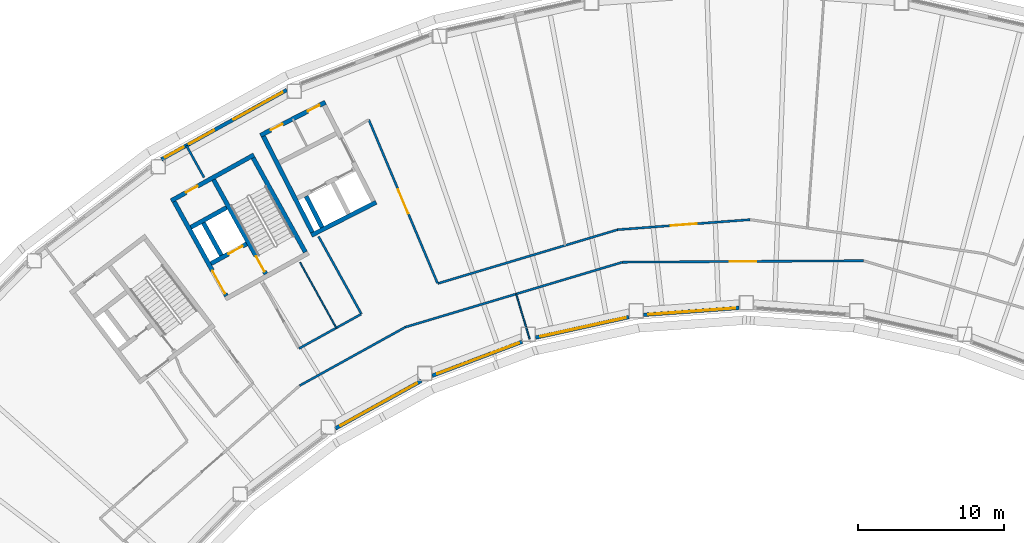
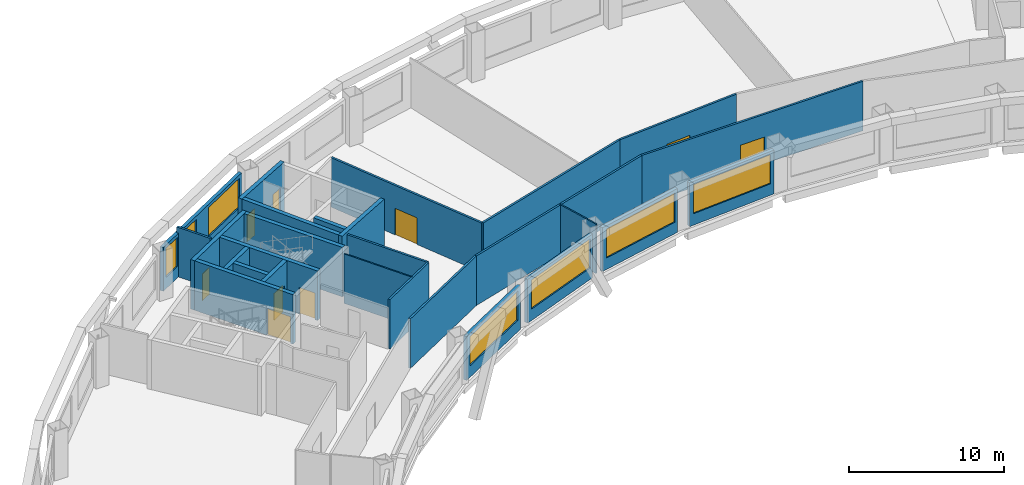
# One storey, part 4 of 13: 27 walls, 9 doors, 7 windows, 16 openings.
"""IFC4 building model written with IfcOpenShell, lengths in metres."""

from ifc_helpers import new_model, si_unit, direction, frame, frame_2d, origin, place, context, subcontext, project, spatial, rectangle, extrude, material, layer, layer_set, type_object, element, fill, save


model = new_model("IFC4")

# Units and contexts
model_context = context("Model", 3, precision=1e-05, world=origin(), true_north=direction((0.0, 1.0)))
body_context = subcontext(model_context, "Body", "Model", "MODEL_VIEW")
ifc_project = project(units=[si_unit("LENGTHUNIT", "METRE"), si_unit("AREAUNIT", "SQUARE_METRE"), si_unit("VOLUMEUNIT", "CUBIC_METRE"), si_unit("PLANEANGLEUNIT", "RADIAN"), si_unit("MASSUNIT", "GRAM", prefix="KILO")], contexts=[model_context])

# Site, building, storey
site_placement = place(None, origin())
site = spatial("IfcSite", under=ifc_project, at=site_placement, CompositionType="ELEMENT")
building_placement = place(site_placement, origin())
building = spatial("IfcBuilding", under=site, at=building_placement, Name="Tuul Gate Civic Tower", CompositionType="ELEMENT")
storey_placement = place(building_placement, frame((0.0, 0.0, 150.800048828125)))
storey = spatial("IfcBuildingStorey", under=building, at=storey_placement, Name="Level 34", CompositionType="ELEMENT", Elevation=150.800048828125)

# Wall, opening, door
ifc_material_1 = material(Name="Concrete C50/60", Category="concrete")
ifc_layer_1 = layer(ifc_material_1, 0.300048828125)
ifc_layer_set_1 = layer_set([ifc_layer_1], Name="Concrete C50/60")
wall_type_1 = type_object("IfcWallType", Name="Core wall C50/60", PredefinedType="SHEAR", material=ifc_layer_set_1)
wall_1_placement = place(storey_placement, frame((-28.94580078125, -8.090087890625, 0.0), z_axis=(0.0, 0.0, 1.0), x_axis=(-0.874629840737, -0.484791338301, 0.0)))
wall_1 = element("IfcWall", 1, at=wall_1_placement, inside=storey, type_object=wall_type_1, Name="Core wall", PredefinedType="SHEAR", context=body_context, shape_type="SweptSolid", body=[
    extrude(rectangle(XDim=2.800048828125, YDim=0.300048828125, at=frame_2d((1.39990234375, 0.0))), origin(), (0.0, 0.0, 1.0), 3.89990234375),
])
opening_1_placement = place(wall_1_placement, frame((0.324951171875, 0.0, 0.0)))
opening_1 = element("IfcOpeningElement", 2, at=opening_1_placement, cuts=wall_1, Name="Opening LD-FF-1", PredefinedType="OPENING", context=body_context, shape_type="SweptSolid", body=[
    extrude(rectangle(XDim=1.10009765625, YDim=2.10009765625, at=frame_2d((0.550048828125, 1.050048828125))), frame((0.0, 0.16015625, 0.0), z_axis=(0.0, -1.0, 0.0), x_axis=(1.0, 0.0, 0.0)), (0.0, 0.0, 1.0), 0.320068359375),
])
ifc_material_2 = material(Name="Stainless steel", Category="steel")
door_type_1 = type_object("IfcDoorType", Name="Landing door", OperationType="DOUBLE_DOOR_SLIDING", PredefinedType="DOOR", material=ifc_material_2)
door_1_placement = place(opening_1_placement, origin())
door_1 = element("IfcDoor", 3, at=door_1_placement, inside=storey, type_object=door_type_1, Name="Fire-fighting lift FF-1 landing door", OperationType="DOUBLE_DOOR_SLIDING", OverallHeight=2.10009765625, OverallWidth=1.10009765625, PredefinedType="DOOR", context=body_context, shape_type="SweptSolid", body=[
    extrude(rectangle(XDim=1.10009765625, YDim=2.10009765625, at=frame_2d((0.550048828125, 1.050048828125))), frame((0.0, 0.02490234375, 0.0), z_axis=(0.0, -1.0, 0.0), x_axis=(1.0, 0.0, 0.0)), (0.0, 0.0, 1.0), 0.050048828125),
])
fill(opening_1, door_1)

# Wall
wall_2_placement = place(storey_placement, frame((-30.327392578125, -5.59716796875, 0.0), z_axis=(0.0, 0.0, 1.0), x_axis=(-0.874629840737, -0.484791338301, 0.0)))
element("IfcWall", 4, at=wall_2_placement, inside=storey, type_object=wall_type_1, Name="Core wall", PredefinedType="SHEAR", context=body_context, shape_type="SweptSolid", body=[
    extrude(rectangle(XDim=2.800048828125, YDim=0.300048828125, at=frame_2d((1.39990234375, 0.0))), origin(), (0.0, 0.0, 1.0), 3.89990234375),
])

# Wall, opening, door
wall_3_placement = place(storey_placement, frame((-28.4443359375, -1.98095703125, 0.0), z_axis=(0.0, 0.0, 1.0), x_axis=(-0.874629909008, -0.484791215132, 0.0)))
wall_3 = element("IfcWall", 5, at=wall_3_placement, inside=storey, type_object=wall_type_1, Name="Core wall", PredefinedType="SHEAR", context=body_context, shape_type="SweptSolid", body=[
    extrude(rectangle(XDim=6.5, YDim=0.300048828125, at=frame_2d((3.25, 0.0))), origin(), (0.0, 0.0, 1.0), 3.89990234375),
])
opening_2_placement = place(wall_3_placement, frame((4.425048828125, 0.0, 0.0)))
opening_2 = element("IfcOpeningElement", 6, at=opening_2_placement, cuts=wall_3, Name="Opening L-D12", PredefinedType="OPENING", context=body_context, shape_type="SweptSolid", body=[
    extrude(rectangle(XDim=0.89990234375, YDim=2.10009765625, at=frame_2d((0.449951171875, 1.050048828125))), frame((0.0, 0.16015625, 0.0), z_axis=(0.0, -1.0, 0.0), x_axis=(1.0, 0.0, 0.0)), (0.0, 0.0, 1.0), 0.320068359375),
])
ifc_material_3 = material(Name="Timber door leaf", Category="wood")
door_type_2 = type_object("IfcDoorType", Name="Door D09", OperationType="NOTDEFINED", PredefinedType="DOOR", material=ifc_material_3)
door_2_placement = place(opening_2_placement, origin())
door_2 = element("IfcDoor", 7, at=door_2_placement, inside=storey, type_object=door_type_2, Name="Door L-D12", OperationType="SINGLE_SWING_LEFT", OverallHeight=2.10009765625, OverallWidth=0.89990234375, PredefinedType="DOOR", context=body_context, shape_type="SweptSolid", body=[
    extrude(rectangle(XDim=0.89990234375, YDim=2.10009765625, at=frame_2d((0.449951171875, 1.050048828125))), frame((0.0, 0.02490234375, 0.0), z_axis=(0.0, -1.0, 0.0), x_axis=(1.0, 0.0, 0.0)), (0.0, 0.0, 1.0), 0.050048828125),
])
fill(opening_2, door_2)

# Wall
wall_4_placement = place(storey_placement, frame((-24.91552734375, -8.6572265625, 0.0), z_axis=(0.0, 0.0, 1.0), x_axis=(-0.484777133038, 0.874637714304, 0.0)))
element("IfcWall", 8, at=wall_4_placement, inside=storey, type_object=wall_type_1, Name="Core wall", PredefinedType="SHEAR", context=body_context, shape_type="SweptSolid", body=[
    extrude(rectangle(XDim=7.400146484375, YDim=0.300048828125, at=frame_2d((3.7001953125, 0.0))), origin(), (0.0, 0.0, 1.0), 3.89990234375),
])

# Wall, opening, door
wall_5_placement = place(storey_placement, frame((-27.626953125, -10.16015625, 0.0), z_axis=(0.0, 0.0, 1.0), x_axis=(-0.484751894226, 0.874651702704, 0.0)))
wall_5 = element("IfcWall", 9, at=wall_5_placement, inside=storey, type_object=wall_type_1, Name="Core wall", PredefinedType="SHEAR", context=body_context, shape_type="SweptSolid", body=[
    extrude(rectangle(XDim=7.39990234375, YDim=0.300048828125, at=frame_2d((3.699951171875, 0.0))), origin(), (0.0, 0.0, 1.0), 3.89990234375),
])
opening_3_placement = place(wall_5_placement, frame((0.199951171875, 0.0, 0.0)))
opening_3 = element("IfcOpeningElement", 10, at=opening_3_placement, cuts=wall_5, Name="Opening SD-ST-2", PredefinedType="OPENING", context=body_context, shape_type="SweptSolid", body=[
    extrude(rectangle(XDim=1.199951171875, YDim=2.10009765625, at=frame_2d((0.60009765625, 1.050048828125))), frame((0.0, 0.16015625, 0.0), z_axis=(0.0, -1.0, 0.0), x_axis=(1.0, 0.0, 0.0)), (0.0, 0.0, 1.0), 0.320068359375),
])
ifc_material_4 = material(Name="Steel", Category="steel")
door_type_3 = type_object("IfcDoorType", Name="Stair door", OperationType="NOTDEFINED", PredefinedType="DOOR", material=ifc_material_4)
door_3_placement = place(opening_3_placement, origin())
door_3 = element("IfcDoor", 11, at=door_3_placement, inside=storey, type_object=door_type_3, Name="Stair door ST-2", OperationType="SINGLE_SWING_LEFT", OverallHeight=2.10009765625, OverallWidth=1.199951171875, PredefinedType="DOOR", context=body_context, shape_type="SweptSolid", body=[
    extrude(rectangle(XDim=1.199951171875, YDim=2.10009765625, at=frame_2d((0.60009765625, 1.050048828125))), frame((0.0, 0.02490234375, 0.0), z_axis=(0.0, -1.0, 0.0), x_axis=(1.0, 0.0, 0.0)), (0.0, 0.0, 1.0), 0.050048828125),
])
fill(opening_3, door_3)

# Wall
wall_6_placement = place(storey_placement, frame((-30.680419921875, -8.8798828125, 0.0), z_axis=(0.0, 0.0, 1.0), x_axis=(-0.484724115216, 0.874667097888, 0.0)))
element("IfcWall", 12, at=wall_6_placement, inside=storey, type_object=wall_type_1, Name="Core wall", PredefinedType="SHEAR", context=body_context, shape_type="SweptSolid", body=[
    extrude(rectangle(XDim=2.550048828125, YDim=0.300048828125, at=frame_2d((1.27490234375, 0.0))), origin(), (0.0, 0.0, 1.0), 3.89990234375),
])

# Wall, opening, door
wall_7_placement = place(storey_placement, frame((-30.33837890625, -11.6630859375, 0.0), z_axis=(0.0, 0.0, 1.0), x_axis=(-0.484751894226, 0.874651702704, 0.0)))
wall_7 = element("IfcWall", 13, at=wall_7_placement, inside=storey, type_object=wall_type_1, Name="Core wall", PredefinedType="SHEAR", context=body_context, shape_type="SweptSolid", body=[
    extrude(rectangle(XDim=7.39990234375, YDim=0.300048828125, at=frame_2d((3.699951171875, 0.0))), origin(), (0.0, 0.0, 1.0), 3.89990234375),
])
opening_4_placement = place(wall_7_placement, frame((0.175048828125, 0.0, 0.0)))
opening_4 = element("IfcOpeningElement", 14, at=opening_4_placement, cuts=wall_7, Name="Opening LB-W2-FLOBBY-1", PredefinedType="OPENING", context=body_context, shape_type="SweptSolid", body=[
    extrude(rectangle(XDim=1.800048828125, YDim=2.10009765625, at=frame_2d((0.89990234375, 1.050048828125))), frame((0.0, 0.16015625, 0.0), z_axis=(0.0, -1.0, 0.0), x_axis=(1.0, 0.0, 0.0)), (0.0, 0.0, 1.0), 0.320068359375),
])
ifc_material_5 = material(Name="Steel", Category="steel")
door_type_4 = type_object("IfcDoorType", Name="Lobby door", OperationType="DOUBLE_DOOR_SINGLE_SWING", PredefinedType="DOOR", material=ifc_material_5)
door_4_placement = place(opening_4_placement, frame((1.800048828125, 0.0, 0.0), z_axis=(0.0, 0.0, 1.0), x_axis=(-1.0, 0.0, 0.0)))
door_4 = element("IfcDoor", 15, at=door_4_placement, inside=storey, type_object=door_type_4, Name="Lobby door W2-FLOBBY", OperationType="DOUBLE_DOOR_SINGLE_SWING", OverallHeight=2.10009765625, OverallWidth=1.800048828125, PredefinedType="DOOR", context=body_context, shape_type="SweptSolid", body=[
    extrude(rectangle(XDim=1.800048828125, YDim=2.10009765625, at=frame_2d((0.900146484375, 1.050048828125))), frame((0.0, 0.02490234375, 0.0), z_axis=(0.0, -1.0, 0.0), x_axis=(1.0, 0.0, 0.0)), (0.0, 0.0, 1.0), 0.050048828125),
])
fill(opening_4, door_4)

ifc_material_6 = material(Name="Gypsum board partition")
ifc_layer_2 = layer(ifc_material_6, 0.14990234375)
ifc_layer_set_2 = layer_set([ifc_layer_2], Name="Gypsum board partition")
wall_type_2 = type_object("IfcWallType", Name="Corridor wall P150", PredefinedType="PARTITIONING", material=ifc_layer_set_2)
wall_8_placement = place(storey_placement, frame((-3.470947265625, -7.116455078125, 0.0), z_axis=(0.0, 0.0, 1.0), x_axis=(0.997138621877, 0.075594766752, 0.0)))
wall_8 = element("IfcWall", 16, at=wall_8_placement, inside=storey, type_object=wall_type_2, Name="p019", PredefinedType="PARTITIONING", context=body_context, shape_type="SweptSolid", body=[
    extrude(rectangle(XDim=9.1171875, YDim=0.14990234375, at=frame_2d((4.55859375, 0.0))), origin(), (0.0, 0.0, 1.0), 3.89990234375),
])
opening_5_placement = place(wall_8_placement, frame((3.658447265625, 0.0, 0.0)))
opening_5 = element("IfcOpeningElement", 17, at=opening_5_placement, cuts=wall_8, Name="Opening L-D04", PredefinedType="OPENING", context=body_context, shape_type="SweptSolid", body=[
    extrude(rectangle(XDim=1.800048828125, YDim=2.10009765625, at=frame_2d((0.89990234375, 1.050048828125))), frame((0.0, 0.0849609375, 0.0), z_axis=(0.0, -1.0, 0.0), x_axis=(1.0, 0.0, 0.0)), (0.0, 0.0, 1.0), 0.169921875),
])
ifc_material_7 = material(Name="Timber door leaf, double", Category="wood")
door_type_5 = type_object("IfcDoorType", Name="Door D18", OperationType="DOUBLE_DOOR_SINGLE_SWING", PredefinedType="DOOR", material=ifc_material_7)
door_5_placement = place(opening_5_placement, origin())
door_5 = element("IfcDoor", 18, at=door_5_placement, inside=storey, type_object=door_type_5, Name="Door L-D04", OperationType="DOUBLE_DOOR_SINGLE_SWING", OverallHeight=2.10009765625, OverallWidth=1.800048828125, PredefinedType="DOOR", context=body_context, shape_type="SweptSolid", body=[
    extrude(rectangle(XDim=1.800048828125, YDim=2.10009765625, at=frame_2d((0.89990234375, 1.050048828125))), frame((0.0, 0.02490234375, 0.0), z_axis=(0.0, -1.0, 0.0), x_axis=(1.0, 0.0, 0.0)), (0.0, 0.0, 1.0), 0.050048828125),
])
fill(opening_5, door_5)

# Wall
wall_9_placement = place(storey_placement, frame((-15.811279296875, -10.80859375, 0.0), z_axis=(0.0, 0.0, 1.0), x_axis=(0.95803160682, 0.286662589701, 0.0)))
element("IfcWall", 19, at=wall_9_placement, inside=storey, type_object=wall_type_2, Name="p020", PredefinedType="PARTITIONING", context=body_context, shape_type="SweptSolid", body=[
    extrude(rectangle(XDim=12.87890625, YDim=0.14990234375, at=frame_2d((6.439453125, 0.0))), origin(), (0.0, 0.0, 1.0), 3.89990234375),
])

# Wall, opening, door
wall_10_placement = place(storey_placement, frame((-20.5615234375, 0.435546875, 0.0), z_axis=(0.0, 0.0, 1.0), x_axis=(0.387744378933, -0.921766942674, 0.0)))
wall_10 = element("IfcWall", 20, at=wall_10_placement, inside=storey, type_object=wall_type_2, Name="p022", PredefinedType="PARTITIONING", context=body_context, shape_type="SweptSolid", body=[
    extrude(rectangle(XDim=12.185546875, YDim=0.14990234375, at=frame_2d((6.0927734375, 0.0))), origin(), (0.0, 0.0, 1.0), 3.89990234375),
])
opening_6_placement = place(wall_10_placement, frame((5.19287109375, 0.0, 0.0)))
opening_6 = element("IfcOpeningElement", 21, at=opening_6_placement, cuts=wall_10, Name="Opening L-D05", PredefinedType="OPENING", context=body_context, shape_type="SweptSolid", body=[
    extrude(rectangle(XDim=1.800048828125, YDim=2.10009765625, at=frame_2d((0.89990234375, 1.050048828125))), frame((0.0, 0.0849609375, 0.0), z_axis=(0.0, -1.0, 0.0), x_axis=(1.0, 0.0, 0.0)), (0.0, 0.0, 1.0), 0.169921875),
])
door_6_placement = place(opening_6_placement, origin())
door_6 = element("IfcDoor", 22, at=door_6_placement, inside=storey, type_object=door_type_5, Name="Door L-D05", OperationType="DOUBLE_DOOR_SINGLE_SWING", OverallHeight=2.10009765625, OverallWidth=1.800048828125, PredefinedType="DOOR", context=body_context, shape_type="SweptSolid", body=[
    extrude(rectangle(XDim=1.800048828125, YDim=2.10009765625, at=frame_2d((0.89990234375, 1.050048828125))), frame((0.0, 0.02490234375, 0.0), z_axis=(0.0, -1.0, 0.0), x_axis=(1.0, 0.0, 0.0)), (0.0, 0.0, 1.0), 0.050048828125),
])
fill(opening_6, door_6)

# Walls
wall_11_placement = place(storey_placement, frame((-24.0078125, -7.586181640625, 0.0), z_axis=(0.0, 0.0, 1.0), x_axis=(0.483990526956, -0.87507323683, 0.0)))
element("IfcWall", 23, at=wall_11_placement, inside=storey, type_object=wall_type_2, Name="p024", PredefinedType="PARTITIONING", context=body_context, shape_type="SweptSolid", body=[
    extrude(rectangle(XDim=6.062255859375, YDim=0.14990234375, at=frame_2d((3.03125, 0.0))), origin(), (0.0, 0.0, 1.0), 3.89990234375),
])
wall_12_placement = place(storey_placement, frame((-25.348876953125, -15.276611328125, 0.0), z_axis=(0.0, 0.0, 1.0), x_axis=(0.874956857893, 0.484200884785, 0.0)))
element("IfcWall", 24, at=wall_12_placement, inside=storey, type_object=wall_type_2, Name="p025", PredefinedType="PARTITIONING", context=body_context, shape_type="SweptSolid", body=[
    extrude(rectangle(XDim=4.875244140625, YDim=0.14990234375, at=frame_2d((2.4375, 0.0))), origin(), (0.0, 0.0, 1.0), 3.89990234375),
])
wall_13_placement = place(storey_placement, frame((-33.087890625, -1.337890625, 0.0), z_axis=(0.0, 0.0, 1.0), x_axis=(0.484347743095, -0.874875570443, 0.0)))
element("IfcWall", 25, at=wall_13_placement, inside=storey, type_object=wall_type_2, Name="p026", PredefinedType="PARTITIONING", context=body_context, shape_type="SweptSolid", body=[
    extrude(rectangle(XDim=2.513671875, YDim=0.14990234375, at=frame_2d((1.2568359375, 0.0))), origin(), (0.0, 0.0, 1.0), 3.89990234375),
])
wall_14_placement = place(storey_placement, frame((-18.05029296875, -13.80908203125, 0.0), z_axis=(0.0, 0.0, 1.0), x_axis=(0.958036743569, 0.286645422031, 0.0)))
element("IfcWall", 26, at=wall_14_placement, inside=storey, type_object=wall_type_2, Name="p037", PredefinedType="PARTITIONING", context=body_context, shape_type="SweptSolid", body=[
    extrude(rectangle(XDim=15.561767578125, YDim=0.14990234375, at=frame_2d((7.78076171875, 0.0))), origin(), (0.0, 0.0, 1.0), 3.89990234375),
])

# Wall, opening, door
wall_15_placement = place(storey_placement, frame((-3.1416015625, -9.348388671875, 0.0), z_axis=(0.0, 0.0, 1.0), x_axis=(0.999981434522, 0.006093489325, 0.0)))
wall_15 = element("IfcWall", 27, at=wall_15_placement, inside=storey, type_object=wall_type_2, Name="p038", PredefinedType="PARTITIONING", context=body_context, shape_type="SweptSolid", body=[
    extrude(rectangle(XDim=16.547119140625, YDim=0.14990234375, at=frame_2d((8.2734375, 0.0))), origin(), (0.0, 0.0, 1.0), 3.89990234375),
])
opening_7_placement = place(wall_15_placement, frame((7.37353515625, 0.0, 0.0)))
opening_7 = element("IfcOpeningElement", 28, at=opening_7_placement, cuts=wall_15, Name="Opening L-D08", PredefinedType="OPENING", context=body_context, shape_type="SweptSolid", body=[
    extrude(rectangle(XDim=1.800048828125, YDim=2.10009765625, at=frame_2d((0.89990234375, 1.050048828125))), frame((0.0, 0.0849609375, 0.0), z_axis=(0.0, -1.0, 0.0), x_axis=(1.0, 0.0, 0.0)), (0.0, 0.0, 1.0), 0.169921875),
])
door_7_placement = place(opening_7_placement, frame((1.800048828125, 0.0, 0.0), z_axis=(0.0, 0.0, 1.0), x_axis=(-1.0, 0.0, 0.0)))
door_7 = element("IfcDoor", 29, at=door_7_placement, inside=storey, type_object=door_type_5, Name="Door L-D08", OperationType="DOUBLE_DOOR_SINGLE_SWING", OverallHeight=2.10009765625, OverallWidth=1.800048828125, PredefinedType="DOOR", context=body_context, shape_type="SweptSolid", body=[
    extrude(rectangle(XDim=1.800048828125, YDim=2.10009765625, at=frame_2d((0.900146484375, 1.050048828125))), frame((0.0, 0.02490234375, 0.0), z_axis=(0.0, -1.0, 0.0), x_axis=(1.0, 0.0, 0.0)), (0.0, 0.0, 1.0), 0.050048828125),
])
fill(opening_7, door_7)

# Wall
wall_16_placement = place(storey_placement, frame((-25.308837890625, -17.826171875, 0.0), z_axis=(0.0, 0.0, 1.0), x_axis=(0.874970911839, 0.484175488264, 0.0)))
element("IfcWall", 30, at=wall_16_placement, inside=storey, type_object=wall_type_2, Name="p041", PredefinedType="PARTITIONING", context=body_context, shape_type="SweptSolid", body=[
    extrude(rectangle(XDim=8.295654296875, YDim=0.14990234375, at=frame_2d((4.14794921875, 0.0))), origin(), (0.0, 0.0, 1.0), 3.89990234375),
])

# Wall, openings, windows
ifc_material_8 = material(Name="Precast concrete C40/50", Category="concrete")
ifc_layer_3 = layer(ifc_material_8, 0.25)
ifc_layer_set_3 = layer_set([ifc_layer_3], Name="Precast concrete C40/50")
wall_type_3 = type_object("IfcWallType", Name="External wall", PredefinedType="STANDARD", material=ifc_layer_set_3)
wall_17_placement = place(storey_placement, frame((-26.18994140625, 2.479736328125, 0.0), z_axis=(0.0, 0.0, 1.0), x_axis=(-0.874631968484, -0.484787499536, 0.0)))
wall_17 = element("IfcWall", 31, at=wall_17_placement, inside=storey, type_object=wall_type_3, Name="External wall", PredefinedType="STANDARD", context=body_context, shape_type="SweptSolid", body=[
    extrude(rectangle(XDim=9.8408203125, YDim=0.25, at=frame_2d((4.92041015625, 0.0))), origin(), (0.0, 0.0, 1.0), 3.449951171875),
])
opening_8_placement = place(wall_17_placement, frame((0.3359375, 0.0, 0.89990234375)))
opening_8 = element("IfcOpeningElement", 32, at=opening_8_placement, cuts=wall_17, Name="Opening W22", PredefinedType="OPENING", context=body_context, shape_type="SweptSolid", body=[
    extrude(rectangle(XDim=3.85009765625, YDim=2.300048828125, at=frame_2d((1.925048828125, 1.14990234375))), frame((0.0, 0.135009765625, 0.0), z_axis=(0.0, -1.0, 0.0), x_axis=(1.0, 0.0, 0.0)), (0.0, 0.0, 1.0), 0.27001953125),
])
opening_9_placement = place(wall_17_placement, frame((5.720703125, 0.0, 0.89990234375)))
opening_9 = element("IfcOpeningElement", 33, at=opening_9_placement, cuts=wall_17, Name="Opening W46", PredefinedType="OPENING", context=body_context, shape_type="SweptSolid", body=[
    extrude(rectangle(XDim=1.949951171875, YDim=2.300048828125, at=frame_2d((0.97509765625, 1.14990234375))), frame((0.0, 0.135009765625, 0.0), z_axis=(0.0, -1.0, 0.0), x_axis=(1.0, 0.0, 0.0)), (0.0, 0.0, 1.0), 0.27001953125),
])
opening_10_placement = place(wall_17_placement, frame((8.095703125, 0.0, 0.89990234375)))
opening_10 = element("IfcOpeningElement", 34, at=opening_10_placement, cuts=wall_17, Name="Opening W47", PredefinedType="OPENING", context=body_context, shape_type="SweptSolid", body=[
    extrude(rectangle(XDim=1.449951171875, YDim=2.300048828125, at=frame_2d((0.72509765625, 1.14990234375))), frame((0.0, 0.135009765625, 0.0), z_axis=(0.0, -1.0, 0.0), x_axis=(1.0, 0.0, 0.0)), (0.0, 0.0, 1.0), 0.27001953125),
])
ifc_material_9 = material(Name="Glass", Category="glass")
window_type_1 = type_object("IfcWindowType", Name="Window 1450 x 2300", PartitioningType="SINGLE_PANEL", PredefinedType="WINDOW", material=ifc_material_9)
window_1_placement = place(opening_10_placement, origin())
window_1 = element("IfcWindow", 35, at=window_1_placement, inside=storey, type_object=window_type_1, Name="Window", OverallHeight=2.300048828125, OverallWidth=1.449951171875, PartitioningType="SINGLE_PANEL", PredefinedType="WINDOW", context=body_context, shape_type="SweptSolid", body=[
    extrude(rectangle(XDim=1.449951171875, YDim=2.300048828125, at=frame_2d((0.72509765625, 1.14990234375))), frame((0.0, 0.030029296875, 0.0), z_axis=(0.0, -1.0, 0.0), x_axis=(1.0, 0.0, 0.0)), (0.0, 0.0, 1.0), 0.06005859375),
])
fill(opening_10, window_1)
ifc_material_10 = material(Name="Glass", Category="glass")
window_type_2 = type_object("IfcWindowType", Name="Window 1950 x 2300", PartitioningType="SINGLE_PANEL", PredefinedType="WINDOW", material=ifc_material_10)
window_2_placement = place(opening_9_placement, origin())
window_2 = element("IfcWindow", 36, at=window_2_placement, inside=storey, type_object=window_type_2, Name="Window", OverallHeight=2.300048828125, OverallWidth=1.949951171875, PartitioningType="SINGLE_PANEL", PredefinedType="WINDOW", context=body_context, shape_type="SweptSolid", body=[
    extrude(rectangle(XDim=1.949951171875, YDim=2.300048828125, at=frame_2d((0.97509765625, 1.14990234375))), frame((0.0, 0.030029296875, 0.0), z_axis=(0.0, -1.0, 0.0), x_axis=(1.0, 0.0, 0.0)), (0.0, 0.0, 1.0), 0.06005859375),
])
fill(opening_9, window_2)
ifc_material_11 = material(Name="Glass", Category="glass")
window_type_3 = type_object("IfcWindowType", Name="Window W22 3850 x 2300", PartitioningType="SINGLE_PANEL", PredefinedType="WINDOW", material=ifc_material_11)
window_3_placement = place(opening_8_placement, origin())
window_3 = element("IfcWindow", 37, at=window_3_placement, inside=storey, type_object=window_type_3, Name="Window", OverallHeight=2.300048828125, OverallWidth=3.85009765625, PartitioningType="SINGLE_PANEL", PredefinedType="WINDOW", context=body_context, shape_type="SweptSolid", body=[
    extrude(rectangle(XDim=3.85009765625, YDim=2.300048828125, at=frame_2d((1.925048828125, 1.14990234375))), frame((0.0, 0.030029296875, 0.0), z_axis=(0.0, -1.0, 0.0), x_axis=(1.0, 0.0, 0.0)), (0.0, 0.0, 1.0), 0.06005859375),
])
fill(opening_8, window_3)

# Wall, opening, window
wall_18_placement = place(storey_placement, frame((-22.85302734375, -20.766845703125, 0.0), z_axis=(0.0, 0.0, 1.0), x_axis=(0.874615488592, 0.484817230628, 0.0)))
wall_18 = element("IfcWall", 38, at=wall_18_placement, inside=storey, type_object=wall_type_3, Name="External wall", PredefinedType="STANDARD", context=body_context, shape_type="SweptSolid", body=[
    extrude(rectangle(XDim=6.7548828125, YDim=0.25, at=frame_2d((3.37744140625, 0.0))), origin(), (0.0, 0.0, 1.0), 3.449951171875),
])
opening_11_placement = place(wall_18_placement, frame((0.40478515625, 0.0, 0.89990234375)))
opening_11 = element("IfcOpeningElement", 39, at=opening_11_placement, cuts=wall_18, Name="Opening W26", PredefinedType="OPENING", context=body_context, shape_type="SweptSolid", body=[
    extrude(rectangle(XDim=6.0, YDim=2.300048828125, at=frame_2d((3.0, 1.14990234375))), frame((0.0, 0.135009765625, 0.0), z_axis=(0.0, -1.0, 0.0), x_axis=(1.0, 0.0, 0.0)), (0.0, 0.0, 1.0), 0.27001953125),
])
ifc_material_12 = material(Name="Glass", Category="glass")
window_type_4 = type_object("IfcWindowType", Name="Window W26 6000 x 2300", PartitioningType="SINGLE_PANEL", PredefinedType="WINDOW", material=ifc_material_12)
window_4_placement = place(opening_11_placement, origin())
window_4 = element("IfcWindow", 40, at=window_4_placement, inside=storey, type_object=window_type_4, Name="Window", OverallHeight=2.300048828125, OverallWidth=6.0, PartitioningType="SINGLE_PANEL", PredefinedType="WINDOW", context=body_context, shape_type="SweptSolid", body=[
    extrude(rectangle(XDim=6.0, YDim=2.300048828125, at=frame_2d((3.0, 1.14990234375))), frame((0.0, 0.030029296875, 0.0), z_axis=(0.0, -1.0, 0.0), x_axis=(1.0, 0.0, 0.0)), (0.0, 0.0, 1.0), 0.06005859375),
])
fill(opening_11, window_4)

wall_19_placement = place(storey_placement, frame((-16.212890625, -17.150146484375, 0.0), z_axis=(0.0, 0.0, 1.0), x_axis=(0.935354811562, 0.353710865662, 0.0)))
wall_19 = element("IfcWall", 41, at=wall_19_placement, inside=storey, type_object=wall_type_3, Name="External wall", PredefinedType="STANDARD", context=body_context, shape_type="SweptSolid", body=[
    extrude(rectangle(XDim=6.624755859375, YDim=0.25, at=frame_2d((3.3125, 0.0))), origin(), (0.0, 0.0, 1.0), 3.449951171875),
])
opening_12_placement = place(wall_19_placement, frame((0.384521484375, 0.0, 0.89990234375)))
opening_12 = element("IfcOpeningElement", 42, at=opening_12_placement, cuts=wall_19, Name="Opening W26", PredefinedType="OPENING", context=body_context, shape_type="SweptSolid", body=[
    extrude(rectangle(XDim=6.0, YDim=2.300048828125, at=frame_2d((3.0, 1.14990234375))), frame((0.0, 0.135009765625, 0.0), z_axis=(0.0, -1.0, 0.0), x_axis=(1.0, 0.0, 0.0)), (0.0, 0.0, 1.0), 0.27001953125),
])
window_5_placement = place(opening_12_placement, origin())
window_5 = element("IfcWindow", 43, at=window_5_placement, inside=storey, type_object=window_type_4, Name="Window", OverallHeight=2.300048828125, OverallWidth=6.0, PartitioningType="SINGLE_PANEL", PredefinedType="WINDOW", context=body_context, shape_type="SweptSolid", body=[
    extrude(rectangle(XDim=6.0, YDim=2.300048828125, at=frame_2d((3.0, 1.14990234375))), frame((0.0, 0.030029296875, 0.0), z_axis=(0.0, -1.0, 0.0), x_axis=(1.0, 0.0, 0.0)), (0.0, 0.0, 1.0), 0.06005859375),
])
fill(opening_12, window_5)

wall_20_placement = place(storey_placement, frame((-9.112060546875, -14.529296875, 0.0), z_axis=(0.0, 0.0, 1.0), x_axis=(0.976557337415, 0.215257442942, 0.0)))
wall_20 = element("IfcWall", 44, at=wall_20_placement, inside=storey, type_object=wall_type_3, Name="External wall", PredefinedType="STANDARD", context=body_context, shape_type="SweptSolid", body=[
    extrude(rectangle(XDim=6.568115234375, YDim=0.25, at=frame_2d((3.2841796875, 0.0))), origin(), (0.0, 0.0, 1.0), 3.449951171875),
])
opening_13_placement = place(wall_20_placement, frame((0.355712890625, 0.0, 0.89990234375)))
opening_13 = element("IfcOpeningElement", 45, at=opening_13_placement, cuts=wall_20, Name="Opening W26", PredefinedType="OPENING", context=body_context, shape_type="SweptSolid", body=[
    extrude(rectangle(XDim=6.0, YDim=2.300048828125, at=frame_2d((3.0, 1.14990234375))), frame((0.0, 0.135009765625, 0.0), z_axis=(0.0, -1.0, 0.0), x_axis=(1.0, 0.0, 0.0)), (0.0, 0.0, 1.0), 0.27001953125),
])
window_6_placement = place(opening_13_placement, origin())
window_6 = element("IfcWindow", 46, at=window_6_placement, inside=storey, type_object=window_type_4, Name="Window", OverallHeight=2.300048828125, OverallWidth=6.0, PartitioningType="SINGLE_PANEL", PredefinedType="WINDOW", context=body_context, shape_type="SweptSolid", body=[
    extrude(rectangle(XDim=6.0, YDim=2.300048828125, at=frame_2d((3.0, 1.14990234375))), frame((0.0, 0.030029296875, 0.0), z_axis=(0.0, -1.0, 0.0), x_axis=(1.0, 0.0, 0.0)), (0.0, 0.0, 1.0), 0.06005859375),
])
fill(opening_13, window_6)

wall_21_placement = place(storey_placement, frame((-1.697998046875, -12.962158203125, 0.0), z_axis=(0.0, 0.0, 1.0), x_axis=(0.997383866909, 0.072287080662, 0.0)))
wall_21 = element("IfcWall", 47, at=wall_21_placement, inside=storey, type_object=wall_type_3, Name="External wall", PredefinedType="STANDARD", context=body_context, shape_type="SweptSolid", body=[
    extrude(rectangle(XDim=6.58935546875, YDim=0.25, at=frame_2d((3.294677734375, 0.0))), origin(), (0.0, 0.0, 1.0), 3.449951171875),
])
opening_14_placement = place(wall_21_placement, frame((0.318115234375, 0.0, 0.89990234375)))
opening_14 = element("IfcOpeningElement", 48, at=opening_14_placement, cuts=wall_21, Name="Opening W26", PredefinedType="OPENING", context=body_context, shape_type="SweptSolid", body=[
    extrude(rectangle(XDim=6.0, YDim=2.300048828125, at=frame_2d((3.0, 1.14990234375))), frame((0.0, 0.135009765625, 0.0), z_axis=(0.0, -1.0, 0.0), x_axis=(1.0, 0.0, 0.0)), (0.0, 0.0, 1.0), 0.27001953125),
])
window_7_placement = place(opening_14_placement, origin())
window_7 = element("IfcWindow", 49, at=window_7_placement, inside=storey, type_object=window_type_4, Name="Window", OverallHeight=2.300048828125, OverallWidth=6.0, PartitioningType="SINGLE_PANEL", PredefinedType="WINDOW", context=body_context, shape_type="SweptSolid", body=[
    extrude(rectangle(XDim=6.0, YDim=2.300048828125, at=frame_2d((3.0, 1.14990234375))), frame((0.0, 0.030029296875, 0.0), z_axis=(0.0, -1.0, 0.0), x_axis=(1.0, 0.0, 0.0)), (0.0, 0.0, 1.0), 0.06005859375),
])
fill(opening_14, window_7)

# Wall
ifc_material_13 = material(Name="Concrete C40/50", Category="concrete")
ifc_layer_4 = layer(ifc_material_13, 0.300048828125)
ifc_layer_set_4 = layer_set([ifc_layer_4], Name="Concrete C40/50")
wall_type_4 = type_object("IfcWallType", Name="Lift shaft wall C40/50", PredefinedType="STANDARD", material=ifc_layer_set_4)
wall_22_placement = place(storey_placement, frame((-20.049072265625, -5.232421875, 0.0), z_axis=(0.0, 0.0, 1.0), x_axis=(-0.891002976909, -0.453997461601, 0.0)))
element("IfcWall", 50, at=wall_22_placement, inside=storey, type_object=wall_type_4, Name="Shaft wall", PredefinedType="STANDARD", context=body_context, shape_type="SweptSolid", body=[
    extrude(rectangle(XDim=5.0, YDim=0.300048828125, at=frame_2d((2.5, 0.0))), origin(), (0.0, 0.0, 1.0), 3.89990234375),
])

# Wall, openings, doors
wall_23_placement = place(storey_placement, frame((-23.544921875, 1.62841796875, 0.0), z_axis=(0.0, 0.0, 1.0), x_axis=(-0.891002976909, -0.453997461601, 0.0)))
wall_23 = element("IfcWall", 51, at=wall_23_placement, inside=storey, type_object=wall_type_4, Name="Shaft wall", PredefinedType="STANDARD", context=body_context, shape_type="SweptSolid", body=[
    extrude(rectangle(XDim=5.0, YDim=0.300048828125, at=frame_2d((2.5, 0.0))), origin(), (0.0, 0.0, 1.0), 3.89990234375),
])
opening_15_placement = place(wall_23_placement, frame((0.449951171875, 0.0, 0.0)))
opening_15 = element("IfcOpeningElement", 52, at=opening_15_placement, cuts=wall_23, Name="Opening L-D16", PredefinedType="OPENING", context=body_context, shape_type="SweptSolid", body=[
    extrude(rectangle(XDim=0.89990234375, YDim=2.10009765625, at=frame_2d((0.449951171875, 1.050048828125))), frame((0.0, 0.16015625, 0.0), z_axis=(0.0, -1.0, 0.0), x_axis=(1.0, 0.0, 0.0)), (0.0, 0.0, 1.0), 0.320068359375),
])
opening_16_placement = place(wall_23_placement, frame((3.300048828125, 0.0, 0.0)))
opening_16 = element("IfcOpeningElement", 53, at=opening_16_placement, cuts=wall_23, Name="Opening L-D17", PredefinedType="OPENING", context=body_context, shape_type="SweptSolid", body=[
    extrude(rectangle(XDim=0.89990234375, YDim=2.10009765625, at=frame_2d((0.449951171875, 1.050048828125))), frame((0.0, 0.16015625, 0.0), z_axis=(0.0, -1.0, 0.0), x_axis=(1.0, 0.0, 0.0)), (0.0, 0.0, 1.0), 0.320068359375),
])
door_8_placement = place(opening_15_placement, origin())
door_8 = element("IfcDoor", 54, at=door_8_placement, inside=storey, type_object=door_type_2, Name="Door L-D16", OperationType="SINGLE_SWING_RIGHT", OverallHeight=2.10009765625, OverallWidth=0.89990234375, PredefinedType="DOOR", context=body_context, shape_type="SweptSolid", body=[
    extrude(rectangle(XDim=0.89990234375, YDim=2.10009765625, at=frame_2d((0.449951171875, 1.050048828125))), frame((0.0, 0.02490234375, 0.0), z_axis=(0.0, -1.0, 0.0), x_axis=(1.0, 0.0, 0.0)), (0.0, 0.0, 1.0), 0.050048828125),
])
fill(opening_15, door_8)
door_9_placement = place(opening_16_placement, origin())
door_9 = element("IfcDoor", 55, at=door_9_placement, inside=storey, type_object=door_type_2, Name="Door L-D17", OperationType="SINGLE_SWING_LEFT", OverallHeight=2.10009765625, OverallWidth=0.89990234375, PredefinedType="DOOR", context=body_context, shape_type="SweptSolid", body=[
    extrude(rectangle(XDim=0.89990234375, YDim=2.10009765625, at=frame_2d((0.449951171875, 1.050048828125))), frame((0.0, 0.02490234375, 0.0), z_axis=(0.0, -1.0, 0.0), x_axis=(1.0, 0.0, 0.0)), (0.0, 0.0, 1.0), 0.050048828125),
])
fill(opening_16, door_9)

# Walls
wall_24_placement = place(storey_placement, frame((-23.770263671875, -6.960205078125, 0.0), z_axis=(0.0, 0.0, 1.0), x_axis=(-0.45399587725, 0.891003784189, 0.0)))
element("IfcWall", 56, at=wall_24_placement, inside=storey, type_object=wall_type_4, Name="Shaft wall", PredefinedType="STANDARD", context=body_context, shape_type="SweptSolid", body=[
    extrude(rectangle(XDim=2.39990234375, YDim=0.300048828125, at=frame_2d((1.199951171875, 0.0))), origin(), (0.0, 0.0, 1.0), 3.89990234375),
])
wall_25_placement = place(storey_placement, frame((-24.438720703125, -7.300537109375, 0.0), z_axis=(0.0, 0.0, 1.0), x_axis=(-0.453984101083, 0.891009784438, 0.0)))
element("IfcWall", 57, at=wall_25_placement, inside=storey, type_object=wall_type_4, Name="Shaft wall", PredefinedType="STANDARD", context=body_context, shape_type="SweptSolid", body=[
    extrude(rectangle(XDim=7.399658203125, YDim=0.300048828125, at=frame_2d((3.69970703125, 0.0))), origin(), (0.0, 0.0, 1.0), 3.89990234375),
])
ifc_material_14 = material(Name="Gypsum board partition")
ifc_layer_5 = layer(ifc_material_14, 0.10009765625)
ifc_layer_set_5 = layer_set([ifc_layer_5], Name="Gypsum board partition")
wall_type_5 = type_object("IfcWallType", Name="Partition P100", PredefinedType="PARTITIONING", material=ifc_layer_set_5)
wall_26_placement = place(storey_placement, frame((-25.276611328125, -9.371826171875, 0.0), z_axis=(0.0, 0.0, 1.0), x_axis=(0.484814595675, -0.874616949195, 0.0)))
element("IfcWall", 58, at=wall_26_placement, inside=storey, type_object=wall_type_5, Name="p021", PredefinedType="PARTITIONING", context=body_context, shape_type="SweptSolid", body=[
    extrude(rectangle(XDim=5.13134765625, YDim=0.10009765625, at=frame_2d((2.565673828125, 0.0))), origin(), (0.0, 0.0, 1.0), 3.89990234375),
])
wall_27_placement = place(storey_placement, frame((-10.4375, -11.531494140625, 0.0), z_axis=(0.0, 0.0, 1.0), x_axis=(0.28520890633, -0.95846537744, 0.0)))
element("IfcWall", 59, at=wall_27_placement, inside=storey, type_object=wall_type_5, Name="p036", PredefinedType="PARTITIONING", context=body_context, shape_type="SweptSolid", body=[
    extrude(rectangle(XDim=3.226318359375, YDim=0.10009765625, at=frame_2d((1.61328125, 0.0))), origin(), (0.0, 0.0, 1.0), 3.89990234375),
])

save(model, "model.ifc")
